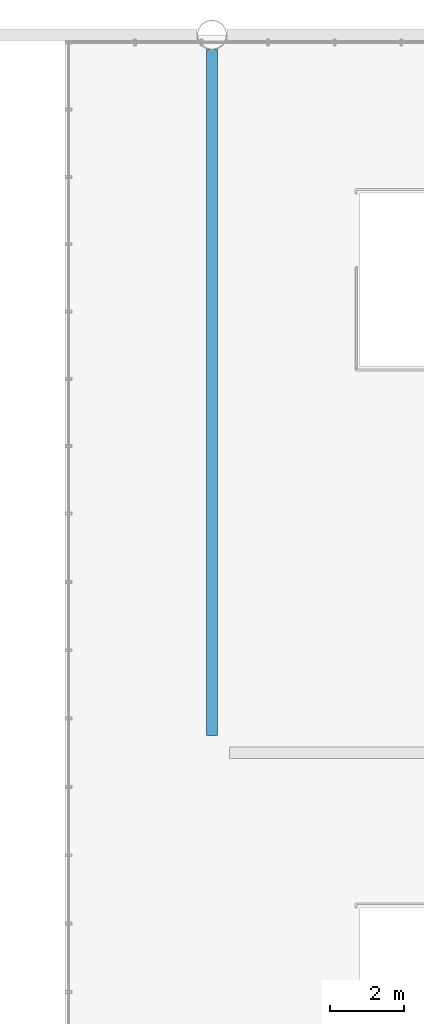
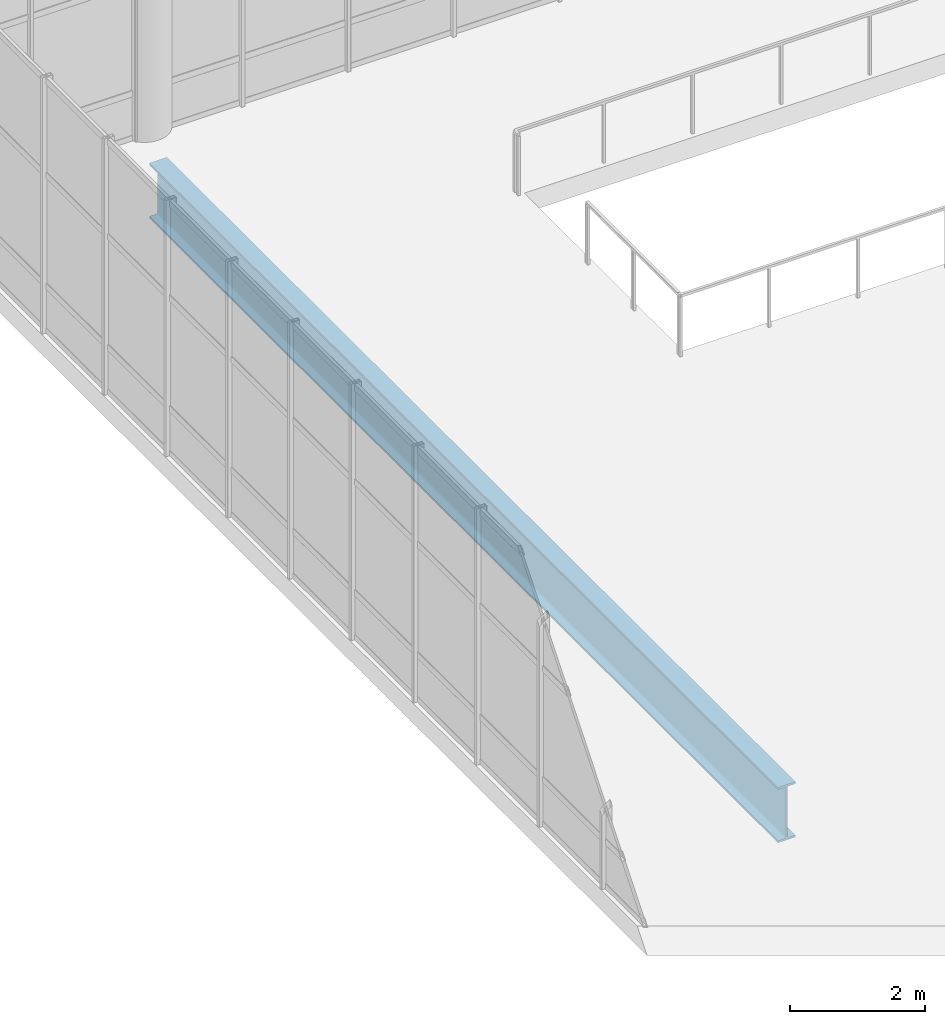
# One storey, part 103 of 176: 1 beam.
"""IFC4 building model written with IfcOpenShell, lengths in metres."""

import ifcopenshell
import ifcopenshell.guid

model = None  # the IFC model being written
_history = None  # IfcOwnerHistory: only IFC2X3 demands one
_inside = {}  # id of a spatial element -> (the spatial element, [elements in it])
_under = {}  # id of a project, library or spatial element -> (it, [spatial elements below it])
_declared = {}  # id of a project -> (the project, [libraries it declares])
_typed = {}  # id of a type object -> (the type object, [elements of that type])
_made_of = {}  # id of a material, layer set ... -> (it, [elements and type objects made of it])


def new_model(schema):
    """Start an empty IFC model of exactly this schema.

    Asked for "IFC4X3", IfcOpenShell would pick the latest addendum, in which some entities
    have other attributes; the version numbers below select the first issue.
    IFC2X3 requires an IfcOwnerHistory on every rooted entity: one is made here for all.
    """
    global model, _history
    if schema == "IFC4X3":
        model = ifcopenshell.file(schema_version=(4, 3, 0, 0))
    else:
        model = ifcopenshell.file(schema=schema)
    _inside.clear()
    _under.clear()
    _declared.clear()
    _typed.clear()
    _made_of.clear()
    _history = None
    if model.schema == "IFC2X3":
        org = make("IfcOrganization", Name="unknown")
        user = make(
            "IfcPersonAndOrganization",
            ThePerson=make("IfcPerson", FamilyName="unknown"),
            TheOrganization=org,
        )
        app = make(
            "IfcApplication",
            ApplicationDeveloper=org,
            Version="unknown",
            ApplicationFullName="unknown",
            ApplicationIdentifier="unknown",
        )
        _history = make(
            "IfcOwnerHistory",
            OwningUser=user,
            OwningApplication=app,
            ChangeAction="ADDED",
            CreationDate=0,
        )
    return model


def make(cls, **values):
    """One entity of the class cls with the attributes given. An attribute that is None is left unset."""
    return model.create_entity(
        cls, **{name: value for name, value in values.items() if value is not None}
    )


def rooted(cls, **values):
    """An entity with a GlobalId (a new one), such as an element, a storey or a relation."""
    return make(cls, GlobalId=ifcopenshell.guid.new(), OwnerHistory=_history, **values)


def si_unit(unit_type, name, prefix=None):
    """IfcSIUnit, for example si_unit("LENGTHUNIT", "METRE", prefix="MILLI")."""
    return make("IfcSIUnit", UnitType=unit_type, Prefix=prefix, Name=name)


def assignment(units):
    """IfcUnitAssignment: the units of a project."""
    return None if units is None else make("IfcUnitAssignment", Units=units)


def point(xyz):
    """IfcCartesianPoint."""
    return None if xyz is None else make("IfcCartesianPoint", Coordinates=xyz)


def direction(xyz):
    """IfcDirection."""
    return None if xyz is None else make("IfcDirection", DirectionRatios=xyz)


def frame(location, z_axis=None, x_axis=None):
    """IfcAxis2Placement3D, a coordinate frame: its origin and axes. An axis left out is left unset."""
    return make(
        "IfcAxis2Placement3D",
        Location=point(location),
        Axis=direction(z_axis),
        RefDirection=direction(x_axis),
    )


def frame_2d(location, x_axis=None):
    """IfcAxis2Placement2D, a coordinate frame in the plane: its origin and x axis."""
    return make(
        "IfcAxis2Placement2D", Location=point(location), RefDirection=direction(x_axis)
    )


def origin():
    """The frame at (0, 0, 0) with its axes left unset."""
    return frame((0.0, 0.0, 0.0))


def origin_2d():
    """The frame at (0, 0) in the plane with its x axis left unset."""
    return frame_2d((0.0, 0.0))


def place(relative_to, where):
    """IfcLocalPlacement: puts the frame where relative to a parent placement (None: the world)."""
    return make(
        "IfcLocalPlacement", PlacementRelTo=relative_to, RelativePlacement=where
    )


def context(
    kind, dimensions, precision=None, world=None, true_north=None, identifier=None
):
    """IfcGeometricRepresentationContext, for example the 3D "Model" context."""
    return make(
        "IfcGeometricRepresentationContext",
        ContextIdentifier=identifier,
        ContextType=kind,
        CoordinateSpaceDimension=dimensions,
        Precision=precision,
        WorldCoordinateSystem=world,
        TrueNorth=true_north,
    )


def subcontext(parent, identifier, kind, view, scale=None):
    """IfcGeometricRepresentationSubContext, for example "Body" below "Model"."""
    return make(
        "IfcGeometricRepresentationSubContext",
        ContextIdentifier=identifier,
        ContextType=kind,
        ParentContext=parent,
        TargetScale=scale,
        TargetView=view,
    )


def project(units=None, contexts=None):
    """IfcProject with its units and contexts."""
    return rooted(
        "IfcProject",
        Name="project",
        RepresentationContexts=contexts,
        UnitsInContext=assignment(units),
    )


def spatial(cls, under=None, at=None, **own):
    """A site, building, storey or space (cls), placed at a placement, below another one or the project."""
    s = rooted(cls, ObjectPlacement=at, **own)
    if under is not None:
        _under.setdefault(under.id(), (under, []))[1].append(s)
    return s


def profile(cls, at=None, kind="AREA", **sizes):
    """A parametric profile (cls). Its sizes go by their IFC names, for example OverallWidth=200.0."""
    return make(cls, ProfileType=kind, Position=at, **sizes)


def i_section(**sizes):
    """IfcIShapeProfileDef."""
    return profile("IfcIShapeProfileDef", **sizes)


def extrude(swept, where, along, depth):
    """IfcExtrudedAreaSolid: the profile swept, set in the frame where, extruded along a direction by depth."""
    return make(
        "IfcExtrudedAreaSolid",
        SweptArea=swept,
        Position=where,
        ExtrudedDirection=direction(along),
        Depth=depth,
    )


def shape(context_of_items, identifier, shape_type, items):
    """IfcShapeRepresentation: the items that make up one representation, for example the "Body"."""
    return make(
        "IfcShapeRepresentation",
        ContextOfItems=context_of_items,
        RepresentationIdentifier=identifier,
        RepresentationType=shape_type,
        Items=items,
    )


def material(Name=None, Category=None):
    """IfcMaterial."""
    return make("IfcMaterial", Name=Name, Category=Category)


def material_profile(
    of_material, cross_section, Name=None, Category=None, Priority=None
):
    """IfcMaterialProfile: a cross section and its material."""
    return make(
        "IfcMaterialProfile",
        Name=Name,
        Material=of_material,
        Profile=cross_section,
        Priority=Priority,
        Category=Category,
    )


def profile_set(profiles, Name=None, composite=None):
    """IfcMaterialProfileSet."""
    return make(
        "IfcMaterialProfileSet",
        Name=Name,
        MaterialProfiles=profiles,
        CompositeProfile=composite,
    )


def made_of(thing, what):
    """Note that an element or type object is made of a material, layer set ...; save() writes the relation."""
    if what is not None:
        _made_of.setdefault(what.id(), (what, []))[1].append(thing)
    return thing


def type_object(cls, material=None, **own):
    """A type object (cls), such as IfcWallType, which elements share."""
    return made_of(rooted(cls, **own), material)


def element(
    cls,
    number,
    at=None,
    inside=None,
    cuts=None,
    type_object=None,
    material=None,
    context=None,
    identifier="Body",
    shape_type=None,
    held_by="IfcProductDefinitionShape",
    body=None,
    shapes=None,
    **own,
):
    """One element of the class cls, such as IfcWall. Its Tag is "e" and its number.

    at: its placement. inside: the storey or other place that contains it. cuts: it is an
    opening in that element (IfcRelVoidsElement). A single representation is given by context,
    identifier, shape_type and body (its items); several are given by shapes. held_by: the class
    of the entity that holds the representations. save() writes the other relations.
    """
    e = rooted(cls, Tag="e%d" % number, ObjectPlacement=at, **own)
    if body is not None:
        shapes = [shape(context, identifier, shape_type, body)]
    if shapes is not None:
        e.Representation = make(held_by, Representations=shapes)
    if inside is not None:
        _inside.setdefault(inside.id(), (inside, []))[1].append(e)
    if cuts is not None:
        rooted(
            "IfcRelVoidsElement", RelatingBuildingElement=cuts, RelatedOpeningElement=e
        )
    if type_object is not None:
        _typed.setdefault(type_object.id(), (type_object, []))[1].append(e)
    return made_of(e, material)


def aggregate(whole, parts):
    """IfcRelAggregates: a whole, such as a stair, and the parts it consists of."""
    return rooted("IfcRelAggregates", RelatingObject=whole, RelatedObjects=parts)


def save(model, path):
    """Write the relations noted so far, then the file.

    IfcRelAggregates (storeys below a building ...), IfcRelContainedInSpatialStructure (elements
    in a storey), IfcRelDefinesByType, IfcRelAssociatesMaterial and IfcRelDeclares: one each for
    every whole, place, type object, material and project.
    """
    for whole, parts in _under.values():
        aggregate(whole, parts)
    for where, things in _inside.values():
        rooted(
            "IfcRelContainedInSpatialStructure",
            RelatedElements=things,
            RelatingStructure=where,
        )
    for kind, things in _typed.values():
        rooted("IfcRelDefinesByType", RelatedObjects=things, RelatingType=kind)
    for what, things in _made_of.values():
        rooted("IfcRelAssociatesMaterial", RelatedObjects=things, RelatingMaterial=what)
    for by, libraries in _declared.values():
        rooted("IfcRelDeclares", RelatingContext=by, RelatedDefinitions=libraries)
    model.write(path)


model = new_model("IFC4")

# Units and contexts
model_context = context("Model", 3, precision=1e-05, world=origin(), true_north=direction((0.0, 1.0)))
body_context = subcontext(model_context, "Body", "Model", "MODEL_VIEW")
ifc_project = project(units=[si_unit("LENGTHUNIT", "METRE"), si_unit("AREAUNIT", "SQUARE_METRE"), si_unit("VOLUMEUNIT", "CUBIC_METRE"), si_unit("PLANEANGLEUNIT", "RADIAN"), si_unit("MASSUNIT", "GRAM", prefix="KILO")], contexts=[model_context])

# Site, building, storey
site_placement = place(None, origin())
site = spatial("IfcSite", under=ifc_project, at=site_placement, CompositionType="ELEMENT")
building_placement = place(site_placement, origin())
building = spatial("IfcBuilding", under=site, at=building_placement, Name="Khorjan Park Terminus", CompositionType="ELEMENT")
storey_placement = place(building_placement, frame((0.0, 0.0, 6.0)))
storey = spatial("IfcBuildingStorey", under=building, at=storey_placement, Name="L01", CompositionType="ELEMENT", Elevation=6.0)

# Beam
ifc_material = material(Name="Steel S355", Category="steel")
ifc_material_profile = material_profile(ifc_material, i_section(OverallWidth=0.3, OverallDepth=1.0, WebThickness=0.019, FlangeThickness=0.036, FilletRadius=0.03, at=origin_2d()), Name="HEB 1000")
ifc_profile_set = profile_set([ifc_material_profile], Name="Steel S355")
beam_type = type_object("IfcBeamType", Name="BM-HEB1000", PredefinedType="BEAM", material=ifc_profile_set)
beam_placement = place(storey_placement, frame((56.0, 134.97, -0.86), z_axis=(0.0, 1.0, 0.0), x_axis=(-1.0, 0.0, 0.0)))
element("IfcBeam", 1, at=beam_placement, inside=storey, type_object=beam_type, Name="Primary floor girder SB-B100 (L01)", PredefinedType="BEAM", context=body_context, shape_type="SweptSolid", body=[
    extrude(i_section(OverallWidth=0.3, OverallDepth=1.0, WebThickness=0.019, FlangeThickness=0.036, FilletRadius=0.03, at=origin_2d()), origin(), (0.0, 0.0, 1.0), 18.6285),
])

save(model, "model.ifc")
